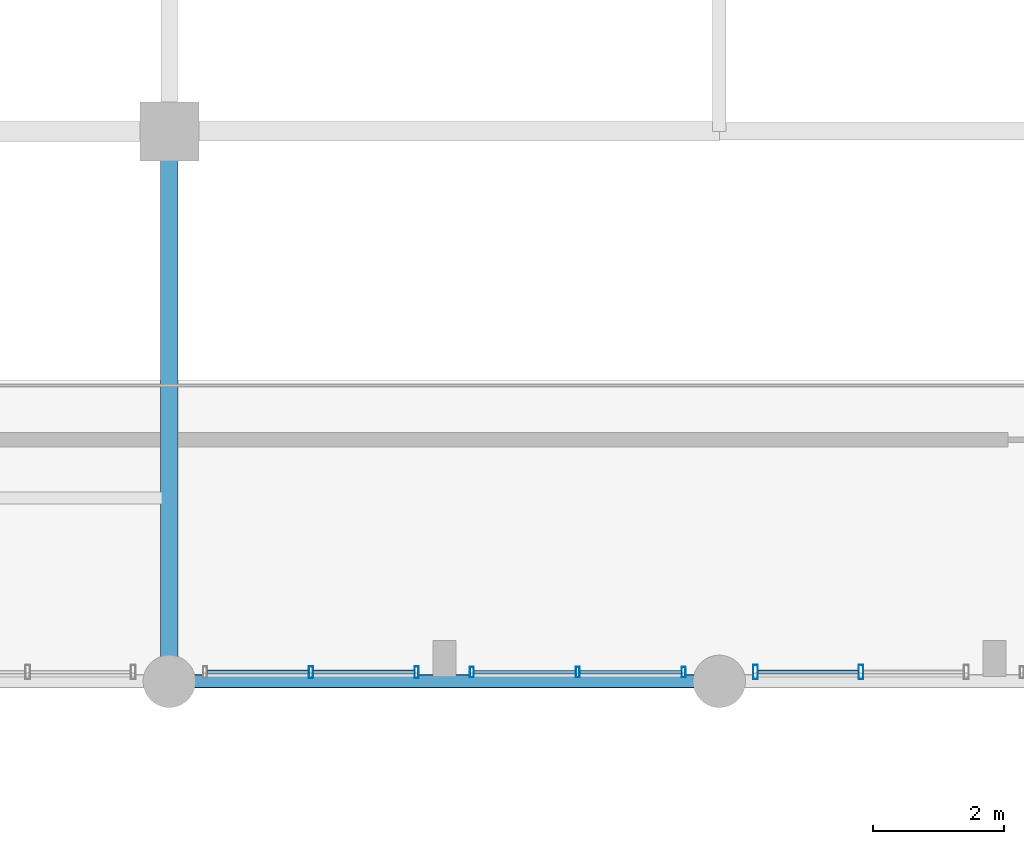
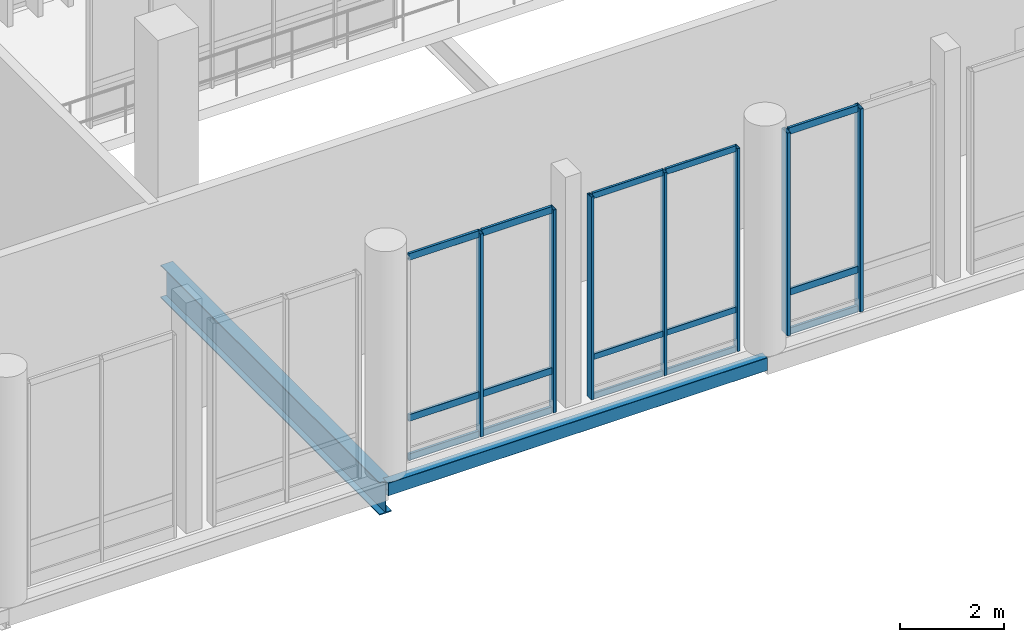
# One storey, part 50 of 128: 22 members, 2 beams, 3 elements without a shape of their own.
"""IFC4 building model written with IfcOpenShell, lengths in metres."""

from ifc_helpers import new_model, si_unit, direction, frame, origin_with_axes, origin_2d_with_axis, place, context, subcontext, project, spatial, hollow_rectangle, i_section, extrude, material, material_profile, profile_set, type_object, element, aggregate, save


model = new_model("IFC4")

# Units and contexts
model_context = context("Model", 3, precision=1e-05, world=origin_with_axes(), true_north=direction((0.0, 1.0)))
body_context = subcontext(model_context, "Body", "Model", "MODEL_VIEW")
ifc_project = project(units=[si_unit("LENGTHUNIT", "METRE"), si_unit("AREAUNIT", "SQUARE_METRE"), si_unit("VOLUMEUNIT", "CUBIC_METRE"), si_unit("PLANEANGLEUNIT", "RADIAN"), si_unit("MASSUNIT", "GRAM", prefix="KILO"), si_unit("THERMODYNAMICTEMPERATUREUNIT", "KELVIN")], contexts=[model_context])

# Site, building, storey
site_placement = place(None, origin_with_axes())
site = spatial("IfcSite", under=ifc_project, at=site_placement, CompositionType="ELEMENT")
building_placement = place(site_placement, origin_with_axes())
building = spatial("IfcBuilding", under=site, at=building_placement, Name="Montbau Bow Law Courts", CompositionType="ELEMENT")
storey_placement = place(building_placement, frame((0.0, 0.0, 5.4), z_axis=(0.0, 0.0, 1.0), x_axis=(1.0, 0.0, 0.0)))
storey = spatial("IfcBuildingStorey", under=building, at=storey_placement, Name="L01", CompositionType="ELEMENT", Elevation=5.4)

# Beams
ifc_material_1 = material(Name="Steel CSA G40.21 Grade 350W (350 MPa)", Category="steel")
ifc_material_profile_1 = material_profile(ifc_material_1, i_section(OverallWidth=0.267, OverallDepth=0.766, WebThickness=0.0149, FlangeThickness=0.0236, at=origin_2d_with_axis()), Name="W760X185", Category="Main", Priority=0)
ifc_profile_set_1 = profile_set([ifc_material_profile_1], Name="Steel CSA G40.21 Grade 350W (350 MPa)")
beam_type_1 = type_object("IfcBeamType", Name="B-FLR-03", PredefinedType="BEAM", material=ifc_profile_set_1)
beam_1_placement = place(None, frame((88.8, 22.2, 4.777), z_axis=(0.0, 1.0, 0.0), x_axis=(-1.0, 0.0, 0.0)))
element("IfcBeam", 1, at=beam_1_placement, inside=storey, type_object=beam_type_1, Name="BM-L01-S1090:bm2_1093", PredefinedType="BEAM", context=body_context, shape_type="SweptSolid", body=[
    extrude(i_section(OverallWidth=0.267, OverallDepth=0.766, WebThickness=0.0149, FlangeThickness=0.0236, at=origin_2d_with_axis()), origin_with_axes(), (0.0, 0.0, 1.0), 8.4),
])
ifc_material_2 = material(Name="Steel CSA G40.21 Grade 350WT (350 MPa)", Category="steel")
ifc_material_profile_2 = material_profile(ifc_material_2, hollow_rectangle(XDim=0.203, YDim=0.305, WallThickness=0.0127, InnerFilletRadius=0.0254, OuterFilletRadius=0.0127, at=origin_2d_with_axis()), Name="HSS305X203X13", Category="Main", Priority=0)
ifc_profile_set_2 = profile_set([ifc_material_profile_2], Name="Steel CSA G40.21 Grade 350WT (350 MPa)")
beam_type_2 = type_object("IfcBeamType", Name="B-SPN-02", PredefinedType="SPANDREL", material=ifc_profile_set_2)
beam_2_placement = place(None, frame((88.8, 22.2, 5.008), z_axis=(1.0, 0.0, 0.0), x_axis=(0.0, 1.0, 0.0)))
element("IfcBeam", 2, at=beam_2_placement, inside=storey, type_object=beam_type_2, Name="SPN-L01-S1066:bm2_1069", PredefinedType="SPANDREL", context=body_context, shape_type="SweptSolid", body=[
    extrude(hollow_rectangle(XDim=0.203, YDim=0.305, WallThickness=0.0127, InnerFilletRadius=0.0254, OuterFilletRadius=0.0127, at=origin_2d_with_axis()), origin_with_axes(), (0.0, 0.0, 1.0), 8.4),
])

# Curtain wall, members
ifc_material_3 = material(Name="Thermally Broken Extruded Aluminium AA 6063-T6", Category="aluminium")
curtain_wall_type = type_object("IfcCurtainWallType", Name="CW-WGC-02", PredefinedType="NOTDEFINED", material=ifc_material_3)
curtain_wall_1_placement = place(None, frame((97.715, 22.34, 5.4), z_axis=(0.0, 0.0, 1.0), x_axis=(1.0, 0.0, 0.0)))
curtain_wall_1 = element("IfcCurtainWall", 3, at=curtain_wall_1_placement, inside=storey, type_object=curtain_wall_type, Name="CW-L01-408:cw_0408", PredefinedType="NOTDEFINED")
ifc_material_profile_3 = material_profile(ifc_material_3, hollow_rectangle(XDim=0.075, YDim=0.22, WallThickness=0.005, InnerFilletRadius=0.01, OuterFilletRadius=0.005, at=origin_2d_with_axis()), Name="CWM-220X75", Category="Main", Priority=0)
ifc_profile_set_3 = profile_set([ifc_material_profile_3], Name="Thermally Broken Extruded Aluminium AA 6063-T6")
member_type_1 = type_object("IfcMemberType", Name="M-MUL-01", PredefinedType="MULLION", material=ifc_profile_set_3)
member_1_placement = place(None, frame((97.752, 22.34, 5.4), z_axis=(0.0, 0.0, 1.0), x_axis=(1.0, 0.0, 0.0)))
member_1 = element("IfcMember", 4, at=member_1_placement, type_object=member_type_1, Name="CW-L01-408-M01:cw_0408_M01", PredefinedType="MULLION", context=body_context, shape_type="SweptSolid", body=[
    extrude(hollow_rectangle(XDim=0.075, YDim=0.22, WallThickness=0.005, InnerFilletRadius=0.01, OuterFilletRadius=0.005, at=origin_2d_with_axis()), origin_with_axes(), (0.0, 0.0, 1.0), 4.75),
])
member_2_placement = place(None, frame((99.363, 22.34, 5.4), z_axis=(0.0, 0.0, 1.0), x_axis=(1.0, 0.0, 0.0)))
member_2 = element("IfcMember", 5, at=member_2_placement, type_object=member_type_1, Name="CW-L01-408-M02:cw_0408_M02", PredefinedType="MULLION", context=body_context, shape_type="SweptSolid", body=[
    extrude(hollow_rectangle(XDim=0.075, YDim=0.22, WallThickness=0.005, InnerFilletRadius=0.01, OuterFilletRadius=0.005, at=origin_2d_with_axis()), origin_with_axes(), (0.0, 0.0, 1.0), 4.75),
])

curtain_wall_2_placement = place(None, frame((89.315, 22.34, 5.4), z_axis=(0.0, 0.0, 1.0), x_axis=(1.0, 0.0, 0.0)))
curtain_wall_2 = element("IfcCurtainWall", 6, at=curtain_wall_2_placement, inside=storey, type_object=curtain_wall_type, Name="CW-L01-406:cw_0406", PredefinedType="NOTDEFINED")
ifc_material_profile_4 = material_profile(ifc_material_3, hollow_rectangle(XDim=0.065, YDim=0.18, WallThickness=0.005, InnerFilletRadius=0.01, OuterFilletRadius=0.005, at=origin_2d_with_axis()), Name="CWM-180X65", Category="Main", Priority=0)
ifc_profile_set_4 = profile_set([ifc_material_profile_4], Name="Thermally Broken Extruded Aluminium AA 6063-T6")
member_type_2 = type_object("IfcMemberType", Name="M-MUL-02", PredefinedType="MULLION", material=ifc_profile_set_4)
member_3_placement = place(None, frame((90.963, 22.34, 5.4), z_axis=(0.0, 0.0, 1.0), x_axis=(1.0, 0.0, 0.0)))
member_3 = element("IfcMember", 7, at=member_3_placement, type_object=member_type_2, Name="CW-L01-406-M02:cw_0406_M02", PredefinedType="MULLION", context=body_context, shape_type="SweptSolid", body=[
    extrude(hollow_rectangle(XDim=0.065, YDim=0.18, WallThickness=0.005, InnerFilletRadius=0.01, OuterFilletRadius=0.005, at=origin_2d_with_axis()), origin_with_axes(), (0.0, 0.0, 1.0), 4.75),
])
member_4_placement = place(None, frame((92.578, 22.34, 5.4), z_axis=(0.0, 0.0, 1.0), x_axis=(1.0, 0.0, 0.0)))
member_4 = element("IfcMember", 8, at=member_4_placement, type_object=member_type_2, Name="CW-L01-406-M03:cw_0406_M03", PredefinedType="MULLION", context=body_context, shape_type="SweptSolid", body=[
    extrude(hollow_rectangle(XDim=0.065, YDim=0.18, WallThickness=0.005, InnerFilletRadius=0.01, OuterFilletRadius=0.005, at=origin_2d_with_axis()), origin_with_axes(), (0.0, 0.0, 1.0), 4.75),
])

curtain_wall_3_placement = place(None, frame((93.39, 22.34, 5.4), z_axis=(0.0, 0.0, 1.0), x_axis=(1.0, 0.0, 0.0)))
curtain_wall_3 = element("IfcCurtainWall", 9, at=curtain_wall_3_placement, inside=storey, type_object=curtain_wall_type, Name="CW-L01-407:cw_0407", PredefinedType="NOTDEFINED")
ifc_material_profile_5 = material_profile(ifc_material_3, hollow_rectangle(XDim=0.06, YDim=0.16, WallThickness=0.004, InnerFilletRadius=0.008, OuterFilletRadius=0.004, at=origin_2d_with_axis()), Name="CWM-160X60", Category="Main", Priority=0)
ifc_profile_set_5 = profile_set([ifc_material_profile_5], Name="Thermally Broken Extruded Aluminium AA 6063-T6")
member_type_3 = type_object("IfcMemberType", Name="M-MUL-03", PredefinedType="MULLION", material=ifc_profile_set_5)
member_5_placement = place(None, frame((93.42, 22.34, 5.4), z_axis=(0.0, 0.0, 1.0), x_axis=(1.0, 0.0, 0.0)))
member_5 = element("IfcMember", 10, at=member_5_placement, type_object=member_type_3, Name="CW-L01-407-M01:cw_0407_M01", PredefinedType="MULLION", context=body_context, shape_type="SweptSolid", body=[
    extrude(hollow_rectangle(XDim=0.06, YDim=0.16, WallThickness=0.004, InnerFilletRadius=0.008, OuterFilletRadius=0.004, at=origin_2d_with_axis()), origin_with_axes(), (0.0, 0.0, 1.0), 4.75),
])
member_6_placement = place(None, frame((95.038, 22.34, 5.4), z_axis=(0.0, 0.0, 1.0), x_axis=(1.0, 0.0, 0.0)))
member_6 = element("IfcMember", 11, at=member_6_placement, type_object=member_type_3, Name="CW-L01-407-M02:cw_0407_M02", PredefinedType="MULLION", context=body_context, shape_type="SweptSolid", body=[
    extrude(hollow_rectangle(XDim=0.06, YDim=0.16, WallThickness=0.004, InnerFilletRadius=0.008, OuterFilletRadius=0.004, at=origin_2d_with_axis()), origin_with_axes(), (0.0, 0.0, 1.0), 4.75),
])
member_7_placement = place(None, frame((96.655, 22.34, 5.4), z_axis=(0.0, 0.0, 1.0), x_axis=(1.0, 0.0, 0.0)))
member_7 = element("IfcMember", 12, at=member_7_placement, type_object=member_type_3, Name="CW-L01-407-M03:cw_0407_M03", PredefinedType="MULLION", context=body_context, shape_type="SweptSolid", body=[
    extrude(hollow_rectangle(XDim=0.06, YDim=0.16, WallThickness=0.004, InnerFilletRadius=0.008, OuterFilletRadius=0.004, at=origin_2d_with_axis()), origin_with_axes(), (0.0, 0.0, 1.0), 4.75),
])

# Member
ifc_material_profile_6 = material_profile(ifc_material_3, hollow_rectangle(XDim=0.06, YDim=0.16, WallThickness=0.004, InnerFilletRadius=0.008, OuterFilletRadius=0.004, at=origin_2d_with_axis()), Name="CWT-160X60", Category="Main", Priority=0)
ifc_profile_set_6 = profile_set([ifc_material_profile_6], Name="Thermally Broken Extruded Aluminium AA 6063-T6")
member_type_4 = type_object("IfcMemberType", Name="M-TRN-01", PredefinedType="USERDEFINED", material=ifc_profile_set_6)
member_8_placement = place(None, frame((89.383, 22.34, 5.43), z_axis=(1.0, 0.0, 0.0), x_axis=(0.0, 1.0, 0.0)))
member_8 = element("IfcMember", 13, at=member_8_placement, type_object=member_type_4, Name="CW-L01-406-T01-1:cw_0406_T01_1", ObjectType="TRANSOM", PredefinedType="USERDEFINED", context=body_context, shape_type="SweptSolid", body=[
    extrude(hollow_rectangle(XDim=0.06, YDim=0.16, WallThickness=0.004, InnerFilletRadius=0.008, OuterFilletRadius=0.004, at=origin_2d_with_axis()), origin_with_axes(), (0.0, 0.0, 1.0), 1.545),
])

member_9_placement = place(None, frame((89.383, 22.34, 6.35), z_axis=(1.0, 0.0, 0.0), x_axis=(0.0, 1.0, 0.0)))
member_9 = element("IfcMember", 14, at=member_9_placement, type_object=member_type_4, Name="CW-L01-406-T01-2:cw_0406_T01_2", ObjectType="TRANSOM", PredefinedType="USERDEFINED", context=body_context, shape_type="SweptSolid", body=[
    extrude(hollow_rectangle(XDim=0.06, YDim=0.16, WallThickness=0.004, InnerFilletRadius=0.008, OuterFilletRadius=0.004, at=origin_2d_with_axis()), origin_with_axes(), (0.0, 0.0, 1.0), 1.545),
])

member_10_placement = place(None, frame((89.383, 22.34, 10.12), z_axis=(1.0, 0.0, 0.0), x_axis=(0.0, 1.0, 0.0)))
member_10 = element("IfcMember", 15, at=member_10_placement, type_object=member_type_4, Name="CW-L01-406-T01-3:cw_0406_T01_3", ObjectType="TRANSOM", PredefinedType="USERDEFINED", context=body_context, shape_type="SweptSolid", body=[
    extrude(hollow_rectangle(XDim=0.06, YDim=0.16, WallThickness=0.004, InnerFilletRadius=0.008, OuterFilletRadius=0.004, at=origin_2d_with_axis()), origin_with_axes(), (0.0, 0.0, 1.0), 1.545),
])

member_11_placement = place(None, frame((90.997, 22.34, 5.43), z_axis=(1.0, 0.0, 0.0), x_axis=(0.0, 1.0, 0.0)))
member_11 = element("IfcMember", 16, at=member_11_placement, type_object=member_type_4, Name="CW-L01-406-T02-1:cw_0406_T02_1", ObjectType="TRANSOM", PredefinedType="USERDEFINED", context=body_context, shape_type="SweptSolid", body=[
    extrude(hollow_rectangle(XDim=0.06, YDim=0.16, WallThickness=0.004, InnerFilletRadius=0.008, OuterFilletRadius=0.004, at=origin_2d_with_axis()), origin_with_axes(), (0.0, 0.0, 1.0), 1.546),
])

member_12_placement = place(None, frame((90.997, 22.34, 6.35), z_axis=(1.0, 0.0, 0.0), x_axis=(0.0, 1.0, 0.0)))
member_12 = element("IfcMember", 17, at=member_12_placement, type_object=member_type_4, Name="CW-L01-406-T02-2:cw_0406_T02_2", ObjectType="TRANSOM", PredefinedType="USERDEFINED", context=body_context, shape_type="SweptSolid", body=[
    extrude(hollow_rectangle(XDim=0.06, YDim=0.16, WallThickness=0.004, InnerFilletRadius=0.008, OuterFilletRadius=0.004, at=origin_2d_with_axis()), origin_with_axes(), (0.0, 0.0, 1.0), 1.546),
])

member_13_placement = place(None, frame((90.997, 22.34, 10.12), z_axis=(1.0, 0.0, 0.0), x_axis=(0.0, 1.0, 0.0)))
member_13 = element("IfcMember", 18, at=member_13_placement, type_object=member_type_4, Name="CW-L01-406-T02-3:cw_0406_T02_3", ObjectType="TRANSOM", PredefinedType="USERDEFINED", context=body_context, shape_type="SweptSolid", body=[
    extrude(hollow_rectangle(XDim=0.06, YDim=0.16, WallThickness=0.004, InnerFilletRadius=0.008, OuterFilletRadius=0.004, at=origin_2d_with_axis()), origin_with_axes(), (0.0, 0.0, 1.0), 1.546),
])

aggregate(curtain_wall_2, [member_3, member_4, member_8, member_9, member_10, member_11, member_12, member_13])

member_14_placement = place(None, frame((97.791, 22.34, 5.43), z_axis=(1.0, 0.0, 0.0), x_axis=(0.0, 1.0, 0.0)))
member_14 = element("IfcMember", 19, at=member_14_placement, type_object=member_type_4, Name="CW-L01-408-T01-1:cw_0408_T01_1", ObjectType="TRANSOM", PredefinedType="USERDEFINED", context=body_context, shape_type="SweptSolid", body=[
    extrude(hollow_rectangle(XDim=0.06, YDim=0.16, WallThickness=0.004, InnerFilletRadius=0.008, OuterFilletRadius=0.004, at=origin_2d_with_axis()), origin_with_axes(), (0.0, 0.0, 1.0), 1.532),
])

member_15_placement = place(None, frame((97.791, 22.34, 6.35), z_axis=(1.0, 0.0, 0.0), x_axis=(0.0, 1.0, 0.0)))
member_15 = element("IfcMember", 20, at=member_15_placement, type_object=member_type_4, Name="CW-L01-408-T01-2:cw_0408_T01_2", ObjectType="TRANSOM", PredefinedType="USERDEFINED", context=body_context, shape_type="SweptSolid", body=[
    extrude(hollow_rectangle(XDim=0.06, YDim=0.16, WallThickness=0.004, InnerFilletRadius=0.008, OuterFilletRadius=0.004, at=origin_2d_with_axis()), origin_with_axes(), (0.0, 0.0, 1.0), 1.532),
])

member_16_placement = place(None, frame((97.791, 22.34, 10.12), z_axis=(1.0, 0.0, 0.0), x_axis=(0.0, 1.0, 0.0)))
member_16 = element("IfcMember", 21, at=member_16_placement, type_object=member_type_4, Name="CW-L01-408-T01-3:cw_0408_T01_3", ObjectType="TRANSOM", PredefinedType="USERDEFINED", context=body_context, shape_type="SweptSolid", body=[
    extrude(hollow_rectangle(XDim=0.06, YDim=0.16, WallThickness=0.004, InnerFilletRadius=0.008, OuterFilletRadius=0.004, at=origin_2d_with_axis()), origin_with_axes(), (0.0, 0.0, 1.0), 1.532),
])

aggregate(curtain_wall_1, [member_1, member_2, member_14, member_15, member_16])

ifc_material_profile_7 = material_profile(ifc_material_3, hollow_rectangle(XDim=0.055, YDim=0.14, WallThickness=0.004, InnerFilletRadius=0.008, OuterFilletRadius=0.004, at=origin_2d_with_axis()), Name="CWT-140X55", Category="Main", Priority=0)
ifc_profile_set_7 = profile_set([ifc_material_profile_7], Name="Thermally Broken Extruded Aluminium AA 6063-T6")
member_type_5 = type_object("IfcMemberType", Name="M-TRN-02", PredefinedType="USERDEFINED", material=ifc_profile_set_7)
member_17_placement = place(None, frame((93.452, 22.34, 5.428), z_axis=(1.0, 0.0, 0.0), x_axis=(0.0, 1.0, 0.0)))
member_17 = element("IfcMember", 22, at=member_17_placement, type_object=member_type_5, Name="CW-L01-407-T01-1:cw_0407_T01_1", ObjectType="TRANSOM", PredefinedType="USERDEFINED", context=body_context, shape_type="SweptSolid", body=[
    extrude(hollow_rectangle(XDim=0.055, YDim=0.14, WallThickness=0.004, InnerFilletRadius=0.008, OuterFilletRadius=0.004, at=origin_2d_with_axis()), origin_with_axes(), (0.0, 0.0, 1.0), 1.554),
])

member_18_placement = place(None, frame((93.452, 22.34, 6.35), z_axis=(1.0, 0.0, 0.0), x_axis=(0.0, 1.0, 0.0)))
member_18 = element("IfcMember", 23, at=member_18_placement, type_object=member_type_5, Name="CW-L01-407-T01-2:cw_0407_T01_2", ObjectType="TRANSOM", PredefinedType="USERDEFINED", context=body_context, shape_type="SweptSolid", body=[
    extrude(hollow_rectangle(XDim=0.055, YDim=0.14, WallThickness=0.004, InnerFilletRadius=0.008, OuterFilletRadius=0.004, at=origin_2d_with_axis()), origin_with_axes(), (0.0, 0.0, 1.0), 1.554),
])

member_19_placement = place(None, frame((93.452, 22.34, 10.123), z_axis=(1.0, 0.0, 0.0), x_axis=(0.0, 1.0, 0.0)))
member_19 = element("IfcMember", 24, at=member_19_placement, type_object=member_type_5, Name="CW-L01-407-T01-3:cw_0407_T01_3", ObjectType="TRANSOM", PredefinedType="USERDEFINED", context=body_context, shape_type="SweptSolid", body=[
    extrude(hollow_rectangle(XDim=0.055, YDim=0.14, WallThickness=0.004, InnerFilletRadius=0.008, OuterFilletRadius=0.004, at=origin_2d_with_axis()), origin_with_axes(), (0.0, 0.0, 1.0), 1.554),
])

member_20_placement = place(None, frame((95.07, 22.34, 5.428), z_axis=(1.0, 0.0, 0.0), x_axis=(0.0, 1.0, 0.0)))
member_20 = element("IfcMember", 25, at=member_20_placement, type_object=member_type_5, Name="CW-L01-407-T02-1:cw_0407_T02_1", ObjectType="TRANSOM", PredefinedType="USERDEFINED", context=body_context, shape_type="SweptSolid", body=[
    extrude(hollow_rectangle(XDim=0.055, YDim=0.14, WallThickness=0.004, InnerFilletRadius=0.008, OuterFilletRadius=0.004, at=origin_2d_with_axis()), origin_with_axes(), (0.0, 0.0, 1.0), 1.553),
])

member_21_placement = place(None, frame((95.07, 22.34, 6.35), z_axis=(1.0, 0.0, 0.0), x_axis=(0.0, 1.0, 0.0)))
member_21 = element("IfcMember", 26, at=member_21_placement, type_object=member_type_5, Name="CW-L01-407-T02-2:cw_0407_T02_2", ObjectType="TRANSOM", PredefinedType="USERDEFINED", context=body_context, shape_type="SweptSolid", body=[
    extrude(hollow_rectangle(XDim=0.055, YDim=0.14, WallThickness=0.004, InnerFilletRadius=0.008, OuterFilletRadius=0.004, at=origin_2d_with_axis()), origin_with_axes(), (0.0, 0.0, 1.0), 1.553),
])

member_22_placement = place(None, frame((95.07, 22.34, 10.123), z_axis=(1.0, 0.0, 0.0), x_axis=(0.0, 1.0, 0.0)))
member_22 = element("IfcMember", 27, at=member_22_placement, type_object=member_type_5, Name="CW-L01-407-T02-3:cw_0407_T02_3", ObjectType="TRANSOM", PredefinedType="USERDEFINED", context=body_context, shape_type="SweptSolid", body=[
    extrude(hollow_rectangle(XDim=0.055, YDim=0.14, WallThickness=0.004, InnerFilletRadius=0.008, OuterFilletRadius=0.004, at=origin_2d_with_axis()), origin_with_axes(), (0.0, 0.0, 1.0), 1.553),
])

aggregate(curtain_wall_3, [member_5, member_6, member_7, member_17, member_18, member_19, member_20, member_21, member_22])

save(model, "model.ifc")
